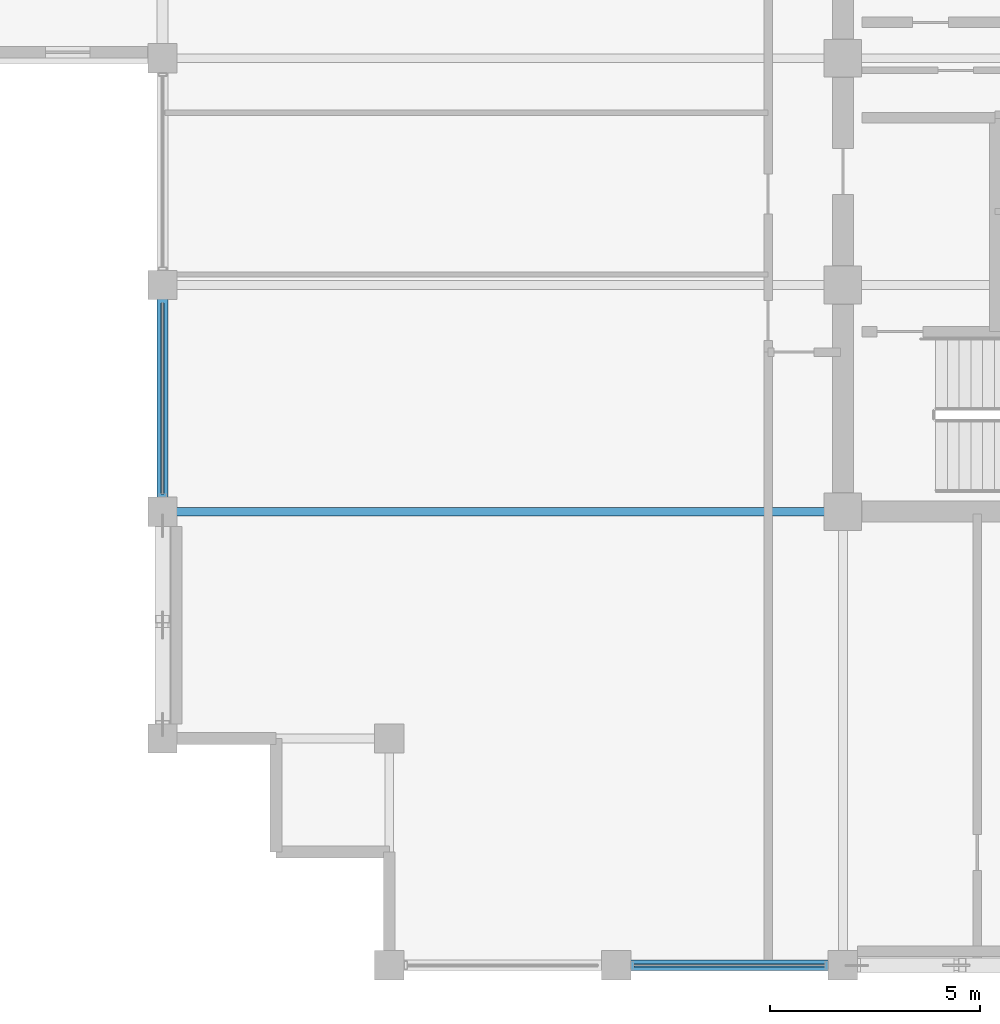
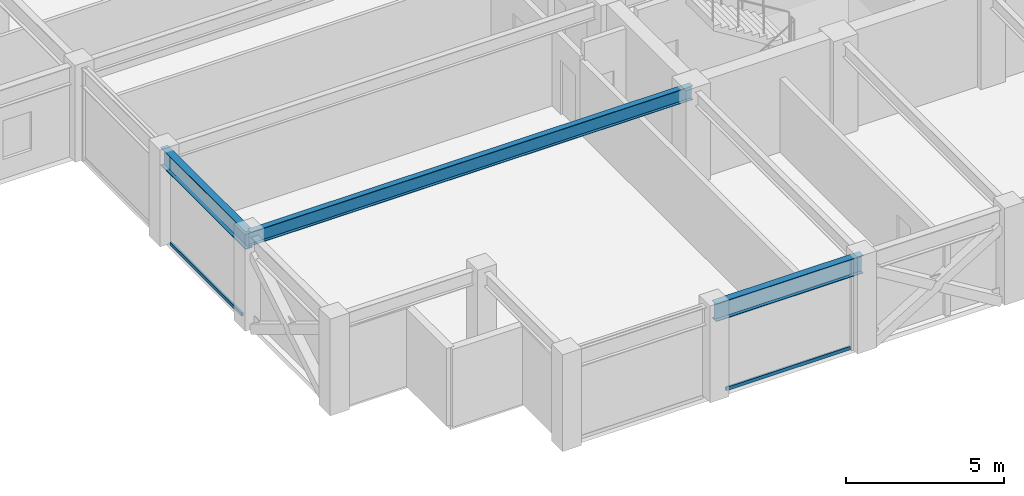
# One storey, part 3 of 31: 3 beams, 2 members, 2 elements without a shape of their own.
"""IFC4 building model written with IfcOpenShell, lengths in metres."""

from ifc_helpers import new_model, si_unit, direction, frame, origin, origin_2d, place, context, subcontext, project, spatial, hollow_rectangle, i_section, extrude, material, layer, layer_set, material_profile, profile_set, type_object, element, aggregate, save


model = new_model("IFC4")

# Units and contexts
model_context = context("Model", 3, precision=1e-05, world=origin(), true_north=direction((0.0, 1.0)))
body_context = subcontext(model_context, "Body", "Model", "MODEL_VIEW")
ifc_project = project(units=[si_unit("LENGTHUNIT", "METRE"), si_unit("AREAUNIT", "SQUARE_METRE"), si_unit("VOLUMEUNIT", "CUBIC_METRE"), si_unit("PLANEANGLEUNIT", "RADIAN"), si_unit("MASSUNIT", "GRAM", prefix="KILO")], contexts=[model_context])

# Site, building, storey
site_placement = place(None, origin())
site = spatial("IfcSite", under=ifc_project, at=site_placement, CompositionType="ELEMENT")
building_placement = place(site_placement, origin())
building = spatial("IfcBuilding", under=site, at=building_placement, Name="Surkhivell Harbour Commons", CompositionType="ELEMENT")
storey_placement = place(building_placement, frame((0.0, 0.0, 318.75)))
storey = spatial("IfcBuildingStorey", under=building, at=storey_placement, Name="L83", CompositionType="ELEMENT", Elevation=318.75)

# Beams
ifc_material_1 = material(Name="Steel S355", Category="steel")
ifc_material_profile_1 = material_profile(ifc_material_1, i_section(OverallWidth=0.2099609375, OverallDepth=0.537109375, WebThickness=0.0107421875, FlangeThickness=0.017333984375, at=origin_2d()), Name="UB533x210x101")
ifc_profile_set_1 = profile_set([ifc_material_profile_1], Name="Steel S355")
beam_type_1 = type_object("IfcBeamType", Name="BM-GRD-533B", PredefinedType="BEAM", material=ifc_profile_set_1)
beam_1_placement = place(storey_placement, frame((-27.0, -10.800048828125, 3.301513671875), z_axis=(1.0, 0.0, 0.0), x_axis=(0.0, 1.0, 0.0)))
element("IfcBeam", 1, at=beam_1_placement, inside=storey, type_object=beam_type_1, Name="L83 Floor Girder (-27.0,-10.8)", PredefinedType="BEAM", context=body_context, shape_type="SweptSolid", body=[
    extrude(i_section(OverallWidth=0.2099609375, OverallDepth=0.537109375, WebThickness=0.0107421875, FlangeThickness=0.017333984375, at=origin_2d()), origin(), (0.0, 0.0, 1.0), 16.199951171875),
])
ifc_material_profile_2 = material_profile(ifc_material_1, i_section(OverallWidth=0.256103515625, OverallDepth=0.693115234375, WebThickness=0.014404296875, FlangeThickness=0.023681640625, at=origin_2d()), Name="UB686x254x170")
ifc_profile_set_2 = profile_set([ifc_material_profile_2], Name="Steel S355")
beam_type_2 = type_object("IfcBeamType", Name="BM-SPN-686", PredefinedType="SPANDREL", material=ifc_profile_set_2)
beam_2_placement = place(storey_placement, frame((-27.0, -10.800048828125, 3.223388671875), z_axis=(0.0, 1.0, 0.0), x_axis=(-1.0, 0.0, 0.0)))
element("IfcBeam", 2, at=beam_2_placement, inside=storey, type_object=beam_type_2, Name="L83 Tube Spandrel (-27.0,-10.8)", PredefinedType="SPANDREL", context=body_context, shape_type="SweptSolid", body=[
    extrude(i_section(OverallWidth=0.256103515625, OverallDepth=0.693115234375, WebThickness=0.014404296875, FlangeThickness=0.023681640625, at=origin_2d()), origin(), (0.0, 0.0, 1.0), 5.400146484375),
])
beam_3_placement = place(storey_placement, frame((-16.199951171875, -21.60009765625, 3.223388671875), z_axis=(1.0, 0.0, 0.0), x_axis=(0.0, 1.0, 0.0)))
element("IfcBeam", 3, at=beam_3_placement, inside=storey, type_object=beam_type_2, Name="L83 Tube Spandrel (-16.2,-21.6)", PredefinedType="SPANDREL", context=body_context, shape_type="SweptSolid", body=[
    extrude(i_section(OverallWidth=0.256103515625, OverallDepth=0.693115234375, WebThickness=0.014404296875, FlangeThickness=0.023681640625, at=origin_2d()), origin(), (0.0, 0.0, 1.0), 5.39990234375),
])

# Curtain wall, member
ifc_material_2 = material(Name="Anodised pale-metal aluminium and insulated glazing", Category="aluminium")
ifc_layer = layer(ifc_material_2, 0.175048828125)
ifc_layer_set = layer_set([ifc_layer], Name="Anodised pale-metal aluminium and insulated glazing")
curtain_wall_type = type_object("IfcCurtainWallType", Name="CW-SYS-Z4", PredefinedType="NOTDEFINED", material=ifc_layer_set)
curtain_wall_1_placement = place(storey_placement, origin())
curtain_wall_1 = element("IfcCurtainWall", 4, at=curtain_wall_1_placement, inside=storey, type_object=curtain_wall_type, Name="L83 Curtain Wall CW-L83-E00S1", PredefinedType="NOTDEFINED")
ifc_material_3 = material(Name="Champagne anodised aluminium alloy 6063-T6", Category="aluminium")
ifc_material_profile_3 = material_profile(ifc_material_3, hollow_rectangle(XDim=0.070068359375, YDim=0.1298828125, WallThickness=0.00341796875, at=origin_2d()), Name="ALU-TRAN-70x130")
ifc_profile_set_3 = profile_set([ifc_material_profile_3], Name="Champagne anodised aluminium alloy 6063-T6")
member_type = type_object("IfcMemberType", Name="CWT-130", PredefinedType="USERDEFINED", material=ifc_profile_set_3)
member_1_placement = place(storey_placement, frame((-15.77294921875, -21.60009765625, 0.06494140625), z_axis=(1.0, 0.0, 0.0), x_axis=(0.0, 1.0, 0.0)))
member_1 = element("IfcMember", 5, at=member_1_placement, type_object=member_type, Name="CW-Z4 transom 2.1", ObjectType="TRANSOM", PredefinedType="USERDEFINED", context=body_context, shape_type="SweptSolid", body=[
    extrude(hollow_rectangle(XDim=0.070068359375, YDim=0.1298828125, WallThickness=0.00341796875, at=origin_2d()), origin(), (0.0, 0.0, 1.0), 4.5458984375),
])
aggregate(curtain_wall_1, [member_1])

curtain_wall_2_placement = place(storey_placement, origin())
curtain_wall_2 = element("IfcCurtainWall", 6, at=curtain_wall_2_placement, inside=storey, type_object=curtain_wall_type, Name="L83 Curtain Wall CW-L83-E12R1S1", PredefinedType="NOTDEFINED")
member_2_placement = place(storey_placement, frame((-27.0, -10.373046875, 0.06494140625), z_axis=(0.0, 1.0, 0.0), x_axis=(-1.0, 0.0, 0.0)))
member_2 = element("IfcMember", 7, at=member_2_placement, type_object=member_type, Name="CW-Z4 transom 1.1", ObjectType="TRANSOM", PredefinedType="USERDEFINED", context=body_context, shape_type="SweptSolid", body=[
    extrude(hollow_rectangle(XDim=0.070068359375, YDim=0.1298828125, WallThickness=0.00341796875, at=origin_2d()), origin(), (0.0, 0.0, 1.0), 4.546142578125),
])
aggregate(curtain_wall_2, [member_2])

save(model, "model.ifc")
